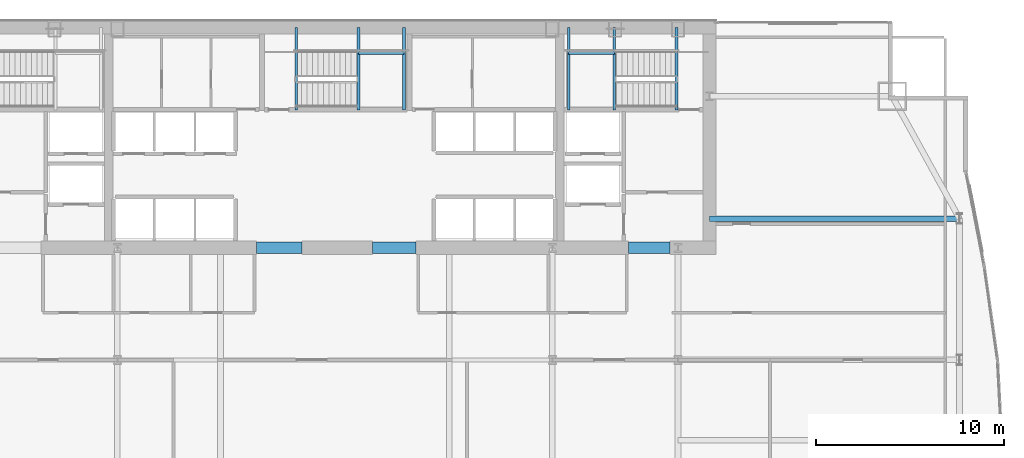
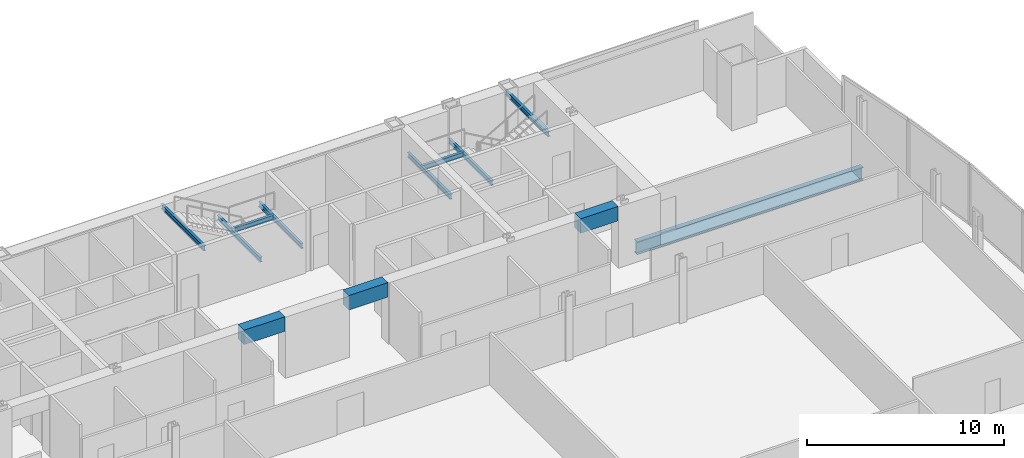
# One storey, part 19 of 34: 12 beams.
"""IFC4 building model written with IfcOpenShell, lengths in metres."""

from ifc_helpers import new_model, si_unit, direction, frame, origin, origin_2d, place, context, subcontext, project, spatial, rectangle, i_section, extrude, material, material_profile, profile_set, type_object, element, save


model = new_model("IFC4")

# Units and contexts
model_context = context("Model", 3, precision=1e-05, world=origin(), true_north=direction((0.0, 1.0)))
body_context = subcontext(model_context, "Body", "Model", "MODEL_VIEW")
ifc_project = project(units=[si_unit("LENGTHUNIT", "METRE"), si_unit("AREAUNIT", "SQUARE_METRE"), si_unit("VOLUMEUNIT", "CUBIC_METRE"), si_unit("PLANEANGLEUNIT", "RADIAN"), si_unit("MASSUNIT", "GRAM", prefix="KILO")], contexts=[model_context])

# Site, building, storey
site_placement = place(None, origin())
site = spatial("IfcSite", under=ifc_project, at=site_placement, CompositionType="ELEMENT")
building_placement = place(site_placement, origin())
building = spatial("IfcBuilding", under=site, at=building_placement, Name="Khoronbel Lancet Exchange", CompositionType="ELEMENT")
storey_placement = place(building_placement, frame((0.0, 0.0, 102.60009765625)))
storey = spatial("IfcBuildingStorey", under=building, at=storey_placement, Name="L24", CompositionType="ELEMENT", Elevation=102.60009765625)

# Beams
ifc_material_1 = material(Name="Steel S355", Category="steel")
ifc_material_profile_1 = material_profile(ifc_material_1, i_section(OverallWidth=0.300048828125, OverallDepth=0.800048828125, WebThickness=0.017578125, FlangeThickness=0.032958984375, at=origin_2d()), Name="HEB 800")
ifc_profile_set_1 = profile_set([ifc_material_profile_1], Name="Steel S355")
beam_type_1 = type_object("IfcBeamType", Name="BM-BG2", PredefinedType="BEAM", material=ifc_profile_set_1)
beam_1_placement = place(storey_placement, frame((56.35009765625, 43.199951171875, -0.580078125), z_axis=(1.0, 0.0, 0.0), x_axis=(0.0, 1.0, 0.0)))
element("IfcBeam", 1, at=beam_1_placement, inside=storey, type_object=beam_type_1, Name="Level L24 east lens tie girder LG3E", PredefinedType="BEAM", context=body_context, shape_type="SweptSolid", body=[
    extrude(i_section(OverallWidth=0.300048828125, OverallDepth=0.800048828125, WebThickness=0.017578125, FlangeThickness=0.032958984375, at=origin_2d()), origin(), (0.0, 0.0, 1.0), 13.27978515625),
])
ifc_material_profile_2 = material_profile(ifc_material_1, i_section(OverallWidth=0.14990234375, OverallDepth=0.300048828125, WebThickness=0.007080078125, FlangeThickness=0.0107421875, at=origin_2d()), Name="IPE 300")
ifc_profile_set_2 = profile_set([ifc_material_profile_2], Name="Steel S355")
beam_type_2 = type_object("IfcBeamType", Name="BM-BJ8", PredefinedType="JOIST", material=ifc_profile_set_2)
for number, where, z_axis, x_axis, name in (
    (2, (51.2900390625, 48.97998046875, 1.64990234375), (0.0, 1.0, 0.0), (-1.0, 0.0, 0.0), "Level L24 stair ST2 landing bearer beam 1"),
    (3, (48.8701171875, 48.97998046875, 1.64990234375), (0.0, 1.0, 0.0), (-1.0, 0.0, 0.0), "Level L24 stair ST2 rear landing bearer beam 1"),
):
    element("IfcBeam", number, at=place(storey_placement, frame(where, z_axis=z_axis, x_axis=x_axis)), inside=storey, type_object=beam_type_2, Name=name, PredefinedType="JOIST", context=body_context, shape_type="SweptSolid", body=[
        extrude(i_section(OverallWidth=0.14990234375, OverallDepth=0.300048828125, WebThickness=0.007080078125, FlangeThickness=0.0107421875, at=origin_2d()), origin(), (0.0, 0.0, 1.0), 4.3701171875),
    ])
beam_2_placement = place(storey_placement, frame((48.8701171875, 51.97998046875, 1.64990234375), z_axis=(1.0, 0.0, 0.0), x_axis=(0.0, 1.0, 0.0)))
element("IfcBeam", 4, at=beam_2_placement, inside=storey, type_object=beam_type_2, Name="Level L24 stair ST2 landing cross trimmer beam 1", PredefinedType="JOIST", context=body_context, shape_type="SweptSolid", body=[
    extrude(i_section(OverallWidth=0.14990234375, OverallDepth=0.300048828125, WebThickness=0.007080078125, FlangeThickness=0.0107421875, at=origin_2d()), origin(), (0.0, 0.0, 1.0), 2.419921875),
])
for number, where, z_axis, x_axis, name in (
    (5, (54.60009765625, 48.97998046875, 3.52001953125), (0.0, 1.0, 0.0), (-1.0, 0.0, 0.0), "Level L24 stair ST2 upper-flight arrival trimmer beam"),
    (6, (37.7099609375, 48.97998046875, 1.64990234375), (0.0, 1.0, 0.0), (-1.0, 0.0, 0.0), "Level L24 stair ST3 landing bearer beam 1"),
    (7, (40.1298828125, 48.97998046875, 1.64990234375), (0.0, 1.0, 0.0), (-1.0, 0.0, 0.0), "Level L24 stair ST3 rear landing bearer beam 1"),
):
    element("IfcBeam", number, at=place(storey_placement, frame(where, z_axis=z_axis, x_axis=x_axis)), inside=storey, type_object=beam_type_2, Name=name, PredefinedType="JOIST", context=body_context, shape_type="SweptSolid", body=[
        extrude(i_section(OverallWidth=0.14990234375, OverallDepth=0.300048828125, WebThickness=0.007080078125, FlangeThickness=0.0107421875, at=origin_2d()), origin(), (0.0, 0.0, 1.0), 4.3701171875),
    ])
beam_3_placement = place(storey_placement, frame((37.7099609375, 51.97998046875, 1.64990234375), z_axis=(1.0, 0.0, 0.0), x_axis=(0.0, 1.0, 0.0)))
element("IfcBeam", 8, at=beam_3_placement, inside=storey, type_object=beam_type_2, Name="Level L24 stair ST3 landing cross trimmer beam 1", PredefinedType="JOIST", context=body_context, shape_type="SweptSolid", body=[
    extrude(i_section(OverallWidth=0.14990234375, OverallDepth=0.300048828125, WebThickness=0.007080078125, FlangeThickness=0.0107421875, at=origin_2d()), origin(), (0.0, 0.0, 1.0), 2.419921875),
])
beam_4_placement = place(storey_placement, frame((34.39990234375, 48.97998046875, 3.52001953125), z_axis=(0.0, 1.0, 0.0), x_axis=(-1.0, 0.0, 0.0)))
element("IfcBeam", 9, at=beam_4_placement, inside=storey, type_object=beam_type_2, Name="Level L24 stair ST3 upper-flight arrival trimmer beam", PredefinedType="JOIST", context=body_context, shape_type="SweptSolid", body=[
    extrude(i_section(OverallWidth=0.14990234375, OverallDepth=0.300048828125, WebThickness=0.007080078125, FlangeThickness=0.0107421875, at=origin_2d()), origin(), (0.0, 0.0, 1.0), 4.3701171875),
])
ifc_material_2 = material(Name="Concrete C80/95", Category="concrete")
ifc_material_profile_3 = material_profile(ifc_material_2, rectangle(XDim=0.60009765625, YDim=0.89990234375, at=origin_2d()), Name="RC 600x900")
ifc_profile_set_3 = profile_set([ifc_material_profile_3], Name="Concrete C80/95")
beam_type_3 = type_object("IfcBeamType", Name="BM-BL1", PredefinedType="LINTEL", material=ifc_profile_set_3)
beam_5_placement = place(storey_placement, frame((32.300048828125, 41.64990234375, 3.349853515625), z_axis=(1.0, 0.0, 0.0), x_axis=(0.0, 1.0, 0.0)))
element("IfcBeam", 10, at=beam_5_placement, inside=storey, type_object=beam_type_3, Name="Level L24 rear core coupling lintel L2", PredefinedType="LINTEL", context=body_context, shape_type="SweptSolid", body=[
    extrude(rectangle(XDim=0.60009765625, YDim=0.89990234375, at=origin_2d()), origin(), (0.0, 0.0, 1.0), 2.39990234375),
])
beam_6_placement = place(storey_placement, frame((38.449951171875, 41.64990234375, 3.349853515625), z_axis=(1.0, 0.0, 0.0), x_axis=(0.0, 1.0, 0.0)))
element("IfcBeam", 11, at=beam_6_placement, inside=storey, type_object=beam_type_3, Name="Level L24 rear core coupling lintel L3", PredefinedType="LINTEL", context=body_context, shape_type="SweptSolid", body=[
    extrude(rectangle(XDim=0.60009765625, YDim=0.89990234375, at=origin_2d()), origin(), (0.0, 0.0, 1.0), 2.300048828125),
])
beam_7_placement = place(storey_placement, frame((52.050048828125, 41.64990234375, 3.349853515625), z_axis=(1.0, 0.0, 0.0), x_axis=(0.0, 1.0, 0.0)))
element("IfcBeam", 12, at=beam_7_placement, inside=storey, type_object=beam_type_3, Name="Level L24 rear core coupling lintel L4", PredefinedType="LINTEL", context=body_context, shape_type="SweptSolid", body=[
    extrude(rectangle(XDim=0.60009765625, YDim=0.89990234375, at=origin_2d()), origin(), (0.0, 0.0, 1.0), 2.199951171875),
])

save(model, "model.ifc")
